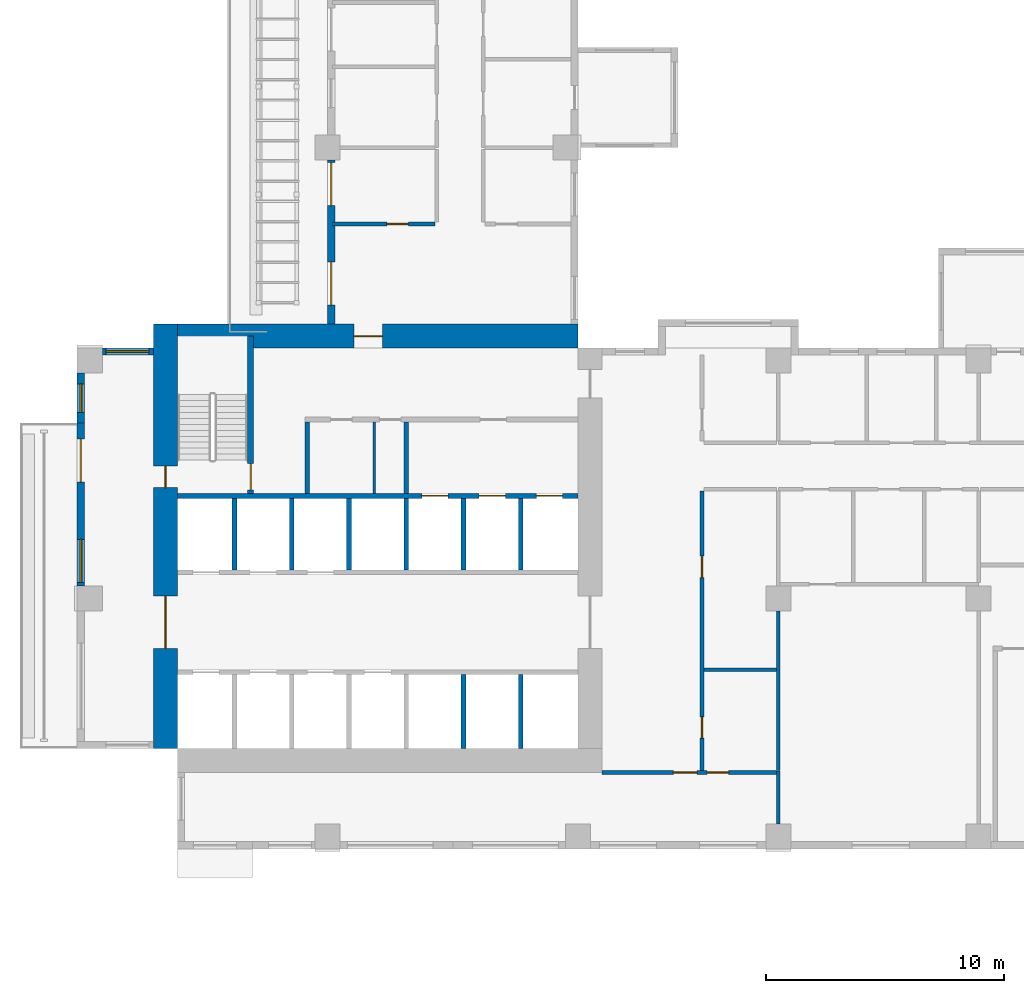
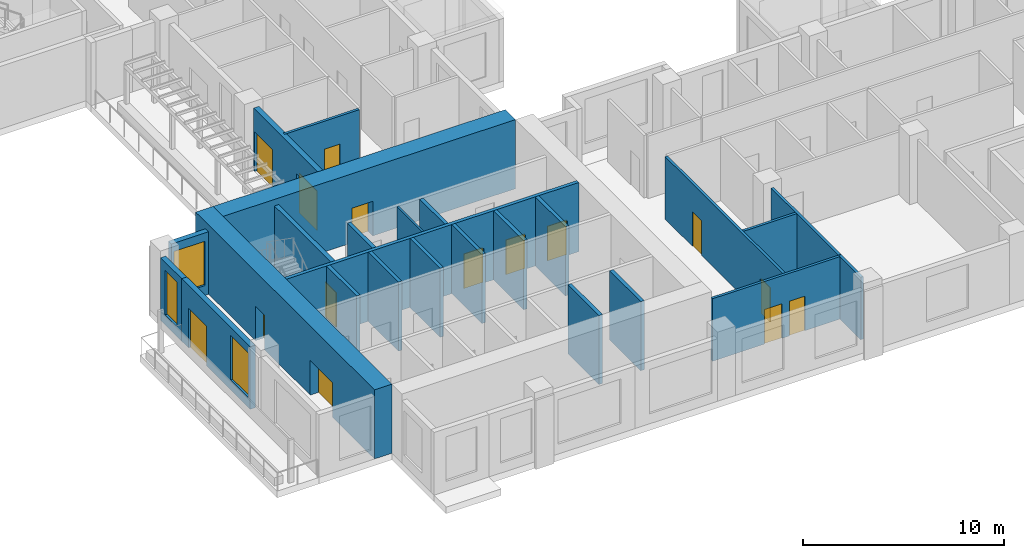
# One storey, part 4 of 16: 25 walls, 15 doors, 3 windows, 18 openings.
"""IFC4 building model written with IfcOpenShell, lengths in metres."""

from ifc_helpers import new_model, si_unit, direction, frame, frame_2d, origin, place, context, subcontext, project, spatial, rectangle, extrude, source, transform, mapped, material, layer, layer_set, type_object, element, fill, save


model = new_model("IFC4")

# Units and contexts
model_context = context("Model", 3, precision=1e-05, world=origin(), true_north=direction((0.0, 1.0)))
body_context = subcontext(model_context, "Body", "Model", "MODEL_VIEW")
ifc_project = project(units=[si_unit("LENGTHUNIT", "METRE"), si_unit("AREAUNIT", "SQUARE_METRE"), si_unit("VOLUMEUNIT", "CUBIC_METRE"), si_unit("PLANEANGLEUNIT", "RADIAN"), si_unit("MASSUNIT", "GRAM", prefix="KILO")], contexts=[model_context])

# Site, building, storey
site_placement = place(None, origin())
site = spatial("IfcSite", under=ifc_project, at=site_placement, CompositionType="ELEMENT")
building_placement = place(site_placement, origin())
building = spatial("IfcBuilding", under=site, at=building_placement, Name="Aurelian Terraces", CompositionType="ELEMENT")
storey_placement = place(building_placement, frame((0.0, 0.0, 124.5)))
storey = spatial("IfcBuildingStorey", under=building, at=storey_placement, Name="L27", CompositionType="ELEMENT", Elevation=124.5)

# Wall, openings, doors
ifc_material_1 = material(Name="Concrete fc' 83 MPa", Category="concrete")
ifc_layer_1 = layer(ifc_material_1, 1.0)
ifc_layer_set_1 = layer_set([ifc_layer_1], Name="CORE WALL 1000 FC83")
wall_type_1 = type_object("IfcWallType", Name="CORE WALL 1000 FC83", PredefinedType="SHEAR", material=ifc_layer_set_1)
shared_shape_1 = source(origin(), body_context, "Body", "SweptSolid", [
    extrude(rectangle(XDim=17.8, YDim=1.0, at=frame_2d((8.9, 0.0))), origin(), (0.0, 0.0, 1.0), 4.2),
])
wall_1_placement = place(storey_placement, frame((3.7, 4.2, 0.0), z_axis=(0.0, 0.0, 1.0), x_axis=(0.0, 1.0, 0.0)))
wall_1 = element("IfcWall", 1, at=wall_1_placement, inside=storey, type_object=wall_type_1, Name="Core wall W L27", PredefinedType="SHEAR", context=body_context, shape_type="MappedRepresentation", body=[
    mapped(shared_shape_1, transform((0.0, 0.0, 0.0), scale=1.0)),
])
shared_shape_2 = source(origin(), body_context, "Body", "SweptSolid", [
    extrude(rectangle(XDim=2.2, YDim=2.1, at=frame_2d((1.1, 1.05))), frame((0.0, 0.51, 0.0), z_axis=(0.0, -1.0, 0.0), x_axis=(1.0, 0.0, 0.0)), (0.0, 0.0, 1.0), 1.02),
])
opening_1_placement = place(wall_1_placement, frame((4.2, 0.0, 0.0)))
opening_1 = element("IfcOpeningElement", 2, at=opening_1_placement, cuts=wall_1, Name="Opening 63021", PredefinedType="OPENING", context=body_context, shape_type="MappedRepresentation", body=[
    mapped(shared_shape_2, transform((0.0, 0.0, 0.0), scale=1.0)),
])
shared_shape_3 = source(origin(), body_context, "Body", "SweptSolid", [
    extrude(rectangle(XDim=0.9, YDim=2.1, at=frame_2d((0.45, 1.05))), frame((0.0, 0.51, 0.0), z_axis=(0.0, -1.0, 0.0), x_axis=(1.0, 0.0, 0.0)), (0.0, 0.0, 1.0), 1.02),
])
opening_2_placement = place(wall_1_placement, frame((10.95, 0.0, 0.0)))
opening_2 = element("IfcOpeningElement", 3, at=opening_2_placement, cuts=wall_1, Name="Opening 63024", PredefinedType="OPENING", context=body_context, shape_type="MappedRepresentation", body=[
    mapped(shared_shape_3, transform((0.0, 0.0, 0.0), scale=1.0)),
])
ifc_material_2 = material(Name="Steel door leaf", Category="steel")
door_type_1 = type_object("IfcDoorType", Name="Core service door 900x2100", OperationType="SINGLE_SWING_LEFT", PredefinedType="DOOR", material=ifc_material_2)
shared_shape_4 = source(origin(), body_context, "Body", "SweptSolid", [
    extrude(rectangle(XDim=0.9, YDim=2.1, at=frame_2d((0.45, 1.05))), frame((0.0, 0.025, 0.0), z_axis=(0.0, -1.0, 0.0), x_axis=(1.0, 0.0, 0.0)), (0.0, 0.0, 1.0), 0.05),
])
door_1_placement = place(opening_2_placement, origin())
door_1 = element("IfcDoor", 4, at=door_1_placement, inside=storey, type_object=door_type_1, Name="Core door 63024", OperationType="SINGLE_SWING_LEFT", OverallHeight=2.1, OverallWidth=0.9, PredefinedType="DOOR", context=body_context, shape_type="MappedRepresentation", body=[
    mapped(shared_shape_4, transform((0.0, 0.0, 0.0), scale=1.0)),
])
fill(opening_2, door_1)
door_type_2 = type_object("IfcDoorType", Name="Core double door 2200x2100", OperationType="DOUBLE_DOOR_SINGLE_SWING", PredefinedType="DOOR", material=ifc_material_2)
shared_shape_5 = source(origin(), body_context, "Body", "SweptSolid", [
    extrude(rectangle(XDim=2.2, YDim=2.1, at=frame_2d((1.1, 1.05))), frame((0.0, 0.025, 0.0), z_axis=(0.0, -1.0, 0.0), x_axis=(1.0, 0.0, 0.0)), (0.0, 0.0, 1.0), 0.05),
])
door_2_placement = place(opening_1_placement, origin())
door_2 = element("IfcDoor", 5, at=door_2_placement, inside=storey, type_object=door_type_2, Name="Core door 63021", OperationType="DOUBLE_DOOR_SINGLE_SWING", OverallHeight=2.1, OverallWidth=2.2, PredefinedType="DOOR", context=body_context, shape_type="MappedRepresentation", body=[
    mapped(shared_shape_5, transform((0.0, 0.0, 0.0), scale=1.0)),
])
fill(opening_1, door_2)

# Wall, opening, door
shared_shape_6 = source(origin(), body_context, "Body", "SweptSolid", [
    extrude(rectangle(XDim=16.8, YDim=1.0, at=frame_2d((8.4, 0.0))), origin(), (0.0, 0.0, 1.0), 4.2),
])
wall_2_placement = place(storey_placement, frame((4.2, 21.5, 0.0), z_axis=(0.0, 0.0, 1.0), x_axis=(1.0, 0.0, 0.0)))
wall_2 = element("IfcWall", 6, at=wall_2_placement, inside=storey, type_object=wall_type_1, Name="Core wall N L27", PredefinedType="SHEAR", context=body_context, shape_type="MappedRepresentation", body=[
    mapped(shared_shape_6, transform((0.0, 0.0, 0.0), scale=1.0)),
])
shared_shape_7 = source(origin(), body_context, "Body", "SweptSolid", [
    extrude(rectangle(XDim=1.2, YDim=2.1, at=frame_2d((0.6, 1.05))), frame((0.0, 0.51, 0.0), z_axis=(0.0, -1.0, 0.0), x_axis=(1.0, 0.0, 0.0)), (0.0, 0.0, 1.0), 1.02),
])
opening_3_placement = place(wall_2_placement, frame((7.4, 0.0, 0.0)))
opening_3 = element("IfcOpeningElement", 7, at=opening_3_placement, cuts=wall_2, Name="Opening 63022", PredefinedType="OPENING", context=body_context, shape_type="MappedRepresentation", body=[
    mapped(shared_shape_7, transform((0.0, 0.0, 0.0), scale=1.0)),
])
door_type_3 = type_object("IfcDoorType", Name="Core fire door 1200x2100", OperationType="SINGLE_SWING_LEFT", PredefinedType="DOOR", material=ifc_material_2)
shared_shape_8 = source(origin(), body_context, "Body", "SweptSolid", [
    extrude(rectangle(XDim=1.2, YDim=2.1, at=frame_2d((0.6, 1.05))), frame((0.0, 0.025, 0.0), z_axis=(0.0, -1.0, 0.0), x_axis=(1.0, 0.0, 0.0)), (0.0, 0.0, 1.0), 0.05),
])
door_3_placement = place(opening_3_placement, origin())
door_3 = element("IfcDoor", 8, at=door_3_placement, inside=storey, type_object=door_type_3, Name="Core door 63022", OperationType="SINGLE_SWING_LEFT", OverallHeight=2.1, OverallWidth=1.2, PredefinedType="DOOR", context=body_context, shape_type="MappedRepresentation", body=[
    mapped(shared_shape_8, transform((0.0, 0.0, 0.0), scale=1.0)),
])
fill(opening_3, door_3)

# Wall, openings, doors
ifc_material_3 = material(Name="Terracotta rainscreen cladding", Category="masonry")
ifc_layer_2 = layer(ifc_material_3, 0.3)
ifc_layer_set_2 = layer_set([ifc_layer_2], Name="EW-300")
wall_type_2 = type_object("IfcWallType", Name="EW-300", PredefinedType="STANDARD", material=ifc_layer_set_2)
shared_shape_9 = source(origin(), body_context, "Body", "SweptSolid", [
    extrude(rectangle(XDim=6.875, YDim=0.3, at=frame_2d((3.4375, 0.0))), origin(), (0.0, 0.0, 1.0), 3.8),
])
wall_3_placement = place(storey_placement, frame((10.65, 28.875, 0.0), z_axis=(0.0, 0.0, 1.0), x_axis=(0.0, -1.0, 0.0)))
wall_3 = element("IfcWall", 9, at=wall_3_placement, inside=storey, type_object=wall_type_2, Name="External wall L27 F18.39", PredefinedType="STANDARD", context=body_context, shape_type="MappedRepresentation", body=[
    mapped(shared_shape_9, transform((0.0, 0.0, 0.0), scale=1.0)),
])
shared_shape_10 = source(origin(), body_context, "Body", "SweptSolid", [
    extrude(rectangle(XDim=1.8, YDim=2.4, at=frame_2d((0.9, 1.2))), frame((0.0, 0.16, 0.0), z_axis=(0.0, -1.0, 0.0), x_axis=(1.0, 0.0, 0.0)), (0.0, 0.0, 1.0), 0.32),
])
opening_4_placement = place(wall_3_placement, frame((0.1, 0.0, 0.0)))
opening_4 = element("IfcOpeningElement", 10, at=opening_4_placement, cuts=wall_3, Name="Opening 82704", PredefinedType="OPENING", context=body_context, shape_type="MappedRepresentation", body=[
    mapped(shared_shape_10, transform((0.0, 0.0, 0.0), scale=1.0)),
])
opening_5_placement = place(wall_3_placement, frame((4.275, 0.0, 0.0)))
opening_5 = element("IfcOpeningElement", 11, at=opening_5_placement, cuts=wall_3, Name="Opening 82705", PredefinedType="OPENING", context=body_context, shape_type="MappedRepresentation", body=[
    mapped(shared_shape_10, transform((0.0, 0.0, 0.0), scale=1.0)),
])
ifc_material_4 = material(Name="Clear glazing", Category="glass")
door_type_4 = type_object("IfcDoorType", Name="BD-1800x2400", OperationType="SLIDING_TO_LEFT", PredefinedType="DOOR", material=ifc_material_4)
shared_shape_11 = source(origin(), body_context, "Body", "SweptSolid", [
    extrude(rectangle(XDim=1.8, YDim=2.4, at=frame_2d((0.9, 1.2))), frame((0.0, 0.025, 0.0), z_axis=(0.0, -1.0, 0.0), x_axis=(1.0, 0.0, 0.0)), (0.0, 0.0, 1.0), 0.05),
])
door_4_placement = place(opening_4_placement, origin())
door_4 = element("IfcDoor", 12, at=door_4_placement, inside=storey, type_object=door_type_4, Name="Terrace door L27 L27-F18-39.3", OperationType="SLIDING_TO_LEFT", OverallHeight=2.4, OverallWidth=1.8, PredefinedType="DOOR", context=body_context, shape_type="MappedRepresentation", body=[
    mapped(shared_shape_11, transform((0.0, 0.0, 0.0), scale=1.0)),
])
fill(opening_4, door_4)
door_5_placement = place(opening_5_placement, origin())
door_5 = element("IfcDoor", 13, at=door_5_placement, inside=storey, type_object=door_type_4, Name="Terrace door L27 L27-F18-39.4", OperationType="SLIDING_TO_LEFT", OverallHeight=2.4, OverallWidth=1.8, PredefinedType="DOOR", context=body_context, shape_type="MappedRepresentation", body=[
    mapped(shared_shape_11, transform((0.0, 0.0, 0.0), scale=1.0)),
])
fill(opening_5, door_5)

# Wall, opening, window
shared_shape_12 = source(origin(), body_context, "Body", "SweptSolid", [
    extrude(rectangle(XDim=2.15, YDim=0.3, at=frame_2d((1.075, 0.0))), origin(), (0.0, 0.0, 1.0), 3.8),
])
wall_4_placement = place(storey_placement, frame((3.2, 20.85, 0.0), z_axis=(0.0, 0.0, 1.0), x_axis=(-1.0, 0.0, 0.0)))
wall_4 = element("IfcWall", 14, at=wall_4_placement, inside=storey, type_object=wall_type_2, Name="External wall L27 F21.42", PredefinedType="STANDARD", context=body_context, shape_type="MappedRepresentation", body=[
    mapped(shared_shape_12, transform((0.0, 0.0, 0.0), scale=1.0)),
])
shared_shape_13 = source(origin(), body_context, "Body", "SweptSolid", [
    extrude(rectangle(XDim=1.8, YDim=2.7, at=frame_2d((0.9, 1.35))), frame((0.0, 0.16, 0.0), z_axis=(0.0, -1.0, 0.0), x_axis=(1.0, 0.0, 0.0)), (0.0, 0.0, 1.0), 0.32),
])
opening_6_placement = place(wall_4_placement, frame((0.2, 0.0, 0.6)))
opening_6 = element("IfcOpeningElement", 15, at=opening_6_placement, cuts=wall_4, Name="Opening W1827", PredefinedType="OPENING", context=body_context, shape_type="MappedRepresentation", body=[
    mapped(shared_shape_13, transform((0.0, 0.0, 0.0), scale=1.0)),
])
window_type_1 = type_object("IfcWindowType", Name="W-1800x2700", PartitioningType="SINGLE_PANEL", PredefinedType="WINDOW", material=ifc_material_4)
shared_shape_14 = source(origin(), body_context, "Body", "SweptSolid", [
    extrude(rectangle(XDim=1.8, YDim=2.7, at=frame_2d((0.9, 1.35))), frame((0.0, 0.03, 0.0), z_axis=(0.0, -1.0, 0.0), x_axis=(1.0, 0.0, 0.0)), (0.0, 0.0, 1.0), 0.06),
])
window_1_placement = place(opening_6_placement, origin())
window_1 = element("IfcWindow", 16, at=window_1_placement, inside=storey, type_object=window_type_1, Name="Window L27 L27-F21-42-0", OverallHeight=2.7, OverallWidth=1.8, PartitioningType="SINGLE_PANEL", PredefinedType="WINDOW", context=body_context, shape_type="MappedRepresentation", body=[
    mapped(shared_shape_14, transform((0.0, 0.0, 0.0), scale=1.0)),
])
fill(opening_6, window_1)

shared_shape_15 = source(origin(), body_context, "Body", "SweptSolid", [
    extrude(rectangle(XDim=2.1, YDim=0.3, at=frame_2d((1.05, 0.0))), origin(), (0.0, 0.0, 1.0), 3.8),
])
wall_5_placement = place(storey_placement, frame((0.15, 19.95, 0.0), z_axis=(0.0, 0.0, 1.0), x_axis=(0.0, -1.0, 0.0)))
wall_5 = element("IfcWall", 17, at=wall_5_placement, inside=storey, type_object=wall_type_2, Name="External wall L27 F22.43", PredefinedType="STANDARD", context=body_context, shape_type="MappedRepresentation", body=[
    mapped(shared_shape_15, transform((0.0, 0.0, 0.0), scale=1.0)),
])
shared_shape_16 = source(origin(), body_context, "Body", "SweptSolid", [
    extrude(rectangle(XDim=1.2, YDim=2.7, at=frame_2d((0.6, 1.35))), frame((0.0, 0.16, 0.0), z_axis=(0.0, -1.0, 0.0), x_axis=(1.0, 0.0, 0.0)), (0.0, 0.0, 1.0), 0.32),
])
opening_7_placement = place(wall_5_placement, frame((0.45, 0.0, 0.6)))
opening_7 = element("IfcOpeningElement", 18, at=opening_7_placement, cuts=wall_5, Name="Opening W1227", PredefinedType="OPENING", context=body_context, shape_type="MappedRepresentation", body=[
    mapped(shared_shape_16, transform((0.0, 0.0, 0.0), scale=1.0)),
])
window_type_2 = type_object("IfcWindowType", Name="W-1200x2700", PartitioningType="SINGLE_PANEL", PredefinedType="WINDOW", material=ifc_material_4)
shared_shape_17 = source(origin(), body_context, "Body", "SweptSolid", [
    extrude(rectangle(XDim=1.2, YDim=2.7, at=frame_2d((0.6, 1.35))), frame((0.0, 0.03, 0.0), z_axis=(0.0, -1.0, 0.0), x_axis=(1.0, 0.0, 0.0)), (0.0, 0.0, 1.0), 0.06),
])
window_2_placement = place(opening_7_placement, origin())
window_2 = element("IfcWindow", 19, at=window_2_placement, inside=storey, type_object=window_type_2, Name="Window L27 L27-F22-43-P0", OverallHeight=2.7, OverallWidth=1.2, PartitioningType="SINGLE_PANEL", PredefinedType="WINDOW", context=body_context, shape_type="MappedRepresentation", body=[
    mapped(shared_shape_17, transform((0.0, 0.0, 0.0), scale=1.0)),
])
fill(opening_7, window_2)

# Wall, openings, door, window
shared_shape_18 = source(origin(), body_context, "Body", "SweptSolid", [
    extrude(rectangle(XDim=6.825, YDim=0.3, at=frame_2d((3.4125, 0.0))), origin(), (0.0, 0.0, 1.0), 3.8),
])
wall_6_placement = place(storey_placement, frame((0.15, 17.85, 0.0), z_axis=(0.0, 0.0, 1.0), x_axis=(0.0, -1.0, 0.0)))
wall_6 = element("IfcWall", 20, at=wall_6_placement, inside=storey, type_object=wall_type_2, Name="External wall L27 F22.44", PredefinedType="STANDARD", context=body_context, shape_type="MappedRepresentation", body=[
    mapped(shared_shape_18, transform((0.0, 0.0, 0.0), scale=1.0)),
])
opening_8_placement = place(wall_6_placement, frame((0.675, 0.0, 0.0)))
opening_8 = element("IfcOpeningElement", 21, at=opening_8_placement, cuts=wall_6, Name="Opening 82706", PredefinedType="OPENING", context=body_context, shape_type="MappedRepresentation", body=[
    mapped(shared_shape_10, transform((0.0, 0.0, 0.0), scale=1.0)),
])
opening_9_placement = place(wall_6_placement, frame((4.875, 0.0, 0.6)))
opening_9 = element("IfcOpeningElement", 22, at=opening_9_placement, cuts=wall_6, Name="Opening W1827", PredefinedType="OPENING", context=body_context, shape_type="MappedRepresentation", body=[
    mapped(shared_shape_13, transform((0.0, 0.0, 0.0), scale=1.0)),
])
door_6_placement = place(opening_8_placement, origin())
door_6 = element("IfcDoor", 23, at=door_6_placement, inside=storey, type_object=door_type_4, Name="Balcony door L27 F22.44", OperationType="SLIDING_TO_LEFT", OverallHeight=2.4, OverallWidth=1.8, PredefinedType="DOOR", context=body_context, shape_type="MappedRepresentation", body=[
    mapped(shared_shape_11, transform((0.0, 0.0, 0.0), scale=1.0)),
])
fill(opening_8, door_6)
window_3_placement = place(opening_9_placement, origin())
window_3 = element("IfcWindow", 24, at=window_3_placement, inside=storey, type_object=window_type_1, Name="Window L27 L27-F22-44-1", OverallHeight=2.7, OverallWidth=1.8, PartitioningType="SINGLE_PANEL", PredefinedType="WINDOW", context=body_context, shape_type="MappedRepresentation", body=[
    mapped(shared_shape_14, transform((0.0, 0.0, 0.0), scale=1.0)),
])
fill(opening_9, window_3)

# Walls
ifc_material_5 = material(Name="Concrete fc' 40 MPa", Category="concrete")
ifc_layer_3 = layer(ifc_material_5, 0.2)
ifc_layer_set_3 = layer_set([ifc_layer_3], Name="Lift shaft wall 200")
wall_type_3 = type_object("IfcWallType", Name="Lift shaft wall 200", PredefinedType="SOLIDWALL", material=ifc_layer_set_3)
shared_shape_19 = source(origin(), body_context, "Body", "SweptSolid", [
    extrude(rectangle(XDim=3.1, YDim=0.2, at=frame_2d((1.55, 0.0))), origin(), (0.0, 0.0, 1.0), 4.2),
])
for number, where, z_axis, x_axis, name in (
    (25, (16.2, 4.2, 0.0), (0.0, 0.0, 1.0), (0.0, 1.0, 0.0), "L27 core wall CD-A5"),
    (26, (18.6, 4.2, 0.0), (0.0, 0.0, 1.0), (0.0, 1.0, 0.0), "L27 core wall CD-A6"),
):
    element("IfcWall", number, at=place(storey_placement, frame(where, z_axis=z_axis, x_axis=x_axis)), inside=storey, type_object=wall_type_3, Name=name, PredefinedType="SOLIDWALL", context=body_context, shape_type="MappedRepresentation", body=[
        mapped(shared_shape_19, transform((0.0, 0.0, 0.0), scale=1.0)),
    ])
shared_shape_20 = source(origin(), body_context, "Body", "SweptSolid", [
    extrude(rectangle(XDim=3.0, YDim=0.2, at=frame_2d((1.5, 0.0))), origin(), (0.0, 0.0, 1.0), 4.2),
])
for number, where, z_axis, x_axis, name in (
    (27, (6.6, 11.7, 0.0), (0.0, 0.0, 1.0), (0.0, 1.0, 0.0), "L27 core wall CD-B1"),
    (28, (9.0, 11.7, 0.0), (0.0, 0.0, 1.0), (0.0, 1.0, 0.0), "L27 core wall CD-B2"),
    (29, (11.4, 11.7, 0.0), (0.0, 0.0, 1.0), (0.0, 1.0, 0.0), "L27 core wall CD-B3"),
    (30, (13.8, 11.7, 0.0), (0.0, 0.0, 1.0), (0.0, 1.0, 0.0), "L27 core wall CD-B4"),
    (31, (16.2, 11.7, 0.0), (0.0, 0.0, 1.0), (0.0, 1.0, 0.0), "L27 core wall CD-B5"),
    (32, (18.6, 11.7, 0.0), (0.0, 0.0, 1.0), (0.0, 1.0, 0.0), "L27 core wall CD-B6"),
):
    element("IfcWall", number, at=place(storey_placement, frame(where, z_axis=z_axis, x_axis=x_axis)), inside=storey, type_object=wall_type_3, Name=name, PredefinedType="SOLIDWALL", context=body_context, shape_type="MappedRepresentation", body=[
        mapped(shared_shape_20, transform((0.0, 0.0, 0.0), scale=1.0)),
    ])

# Wall, openings, doors
shared_shape_21 = source(origin(), body_context, "Body", "SweptSolid", [
    extrude(rectangle(XDim=16.8, YDim=0.2, at=frame_2d((8.4, 0.0))), origin(), (0.0, 0.0, 1.0), 4.2),
])
wall_7_placement = place(storey_placement, frame((4.2, 14.8, 0.0), z_axis=(0.0, 0.0, 1.0), x_axis=(1.0, 0.0, 0.0)))
wall_7 = element("IfcWall", 33, at=wall_7_placement, inside=storey, type_object=wall_type_3, Name="L27 core wall CF-BB1", PredefinedType="SOLIDWALL", context=body_context, shape_type="MappedRepresentation", body=[
    mapped(shared_shape_21, transform((0.0, 0.0, 0.0), scale=1.0)),
])
shared_shape_22 = source(origin(), body_context, "Body", "SweptSolid", [
    extrude(rectangle(XDim=1.1, YDim=2.1, at=frame_2d((0.55, 1.05))), frame((0.0, 0.11, 0.0), z_axis=(0.0, -1.0, 0.0), x_axis=(1.0, 0.0, 0.0)), (0.0, 0.0, 1.0), 0.22),
])
opening_10_placement = place(wall_7_placement, frame((10.25, 0.0, 0.0)))
opening_10 = element("IfcOpeningElement", 34, at=opening_10_placement, cuts=wall_7, Name="Opening 63007", PredefinedType="OPENING", context=body_context, shape_type="MappedRepresentation", body=[
    mapped(shared_shape_22, transform((0.0, 0.0, 0.0), scale=1.0)),
])
opening_11_placement = place(wall_7_placement, frame((12.65, 0.0, 0.0)))
opening_11 = element("IfcOpeningElement", 35, at=opening_11_placement, cuts=wall_7, Name="Opening 63008", PredefinedType="OPENING", context=body_context, shape_type="MappedRepresentation", body=[
    mapped(shared_shape_22, transform((0.0, 0.0, 0.0), scale=1.0)),
])
opening_12_placement = place(wall_7_placement, frame((15.05, 0.0, 0.0)))
opening_12 = element("IfcOpeningElement", 36, at=opening_12_placement, cuts=wall_7, Name="Opening 63009", PredefinedType="OPENING", context=body_context, shape_type="MappedRepresentation", body=[
    mapped(shared_shape_22, transform((0.0, 0.0, 0.0), scale=1.0)),
])
ifc_material_6 = material(Name="Stainless steel", Category="steel")
door_type_5 = type_object("IfcDoorType", Name="Lift landing door 1100x2100", OperationType="SLIDING_TO_LEFT", PredefinedType="DOOR", material=ifc_material_6)
shared_shape_23 = source(origin(), body_context, "Body", "SweptSolid", [
    extrude(rectangle(XDim=1.1, YDim=2.1, at=frame_2d((0.55, 1.05))), frame((0.0, 0.025, 0.0), z_axis=(0.0, -1.0, 0.0), x_axis=(1.0, 0.0, 0.0)), (0.0, 0.0, 1.0), 0.05),
])
door_7_placement = place(opening_10_placement, origin())
door_7 = element("IfcDoor", 37, at=door_7_placement, inside=storey, type_object=door_type_5, Name="Lift landing door F1 L27", OperationType="SLIDING_TO_LEFT", OverallHeight=2.1, OverallWidth=1.1, PredefinedType="DOOR", context=body_context, shape_type="MappedRepresentation", body=[
    mapped(shared_shape_23, transform((0.0, 0.0, 0.0), scale=1.0)),
])
fill(opening_10, door_7)
door_8_placement = place(opening_11_placement, origin())
door_8 = element("IfcDoor", 38, at=door_8_placement, inside=storey, type_object=door_type_5, Name="Lift landing door F2 L27", OperationType="SLIDING_TO_LEFT", OverallHeight=2.1, OverallWidth=1.1, PredefinedType="DOOR", context=body_context, shape_type="MappedRepresentation", body=[
    mapped(shared_shape_23, transform((0.0, 0.0, 0.0), scale=1.0)),
])
fill(opening_11, door_8)
door_9_placement = place(opening_12_placement, origin())
door_9 = element("IfcDoor", 39, at=door_9_placement, inside=storey, type_object=door_type_5, Name="Lift landing door F3 L27", OperationType="SLIDING_TO_LEFT", OverallHeight=2.1, OverallWidth=1.1, PredefinedType="DOOR", context=body_context, shape_type="MappedRepresentation", body=[
    mapped(shared_shape_23, transform((0.0, 0.0, 0.0), scale=1.0)),
])
fill(opening_12, door_9)

# Walls
ifc_material_7 = material(Name="Gypsum board on steel studs", Category="steel")
ifc_layer_4 = layer(ifc_material_7, 0.2)
ifc_layer_set_4 = layer_set([ifc_layer_4], Name="Core partition 200")
wall_type_4 = type_object("IfcWallType", Name="Core partition 200", PredefinedType="PARTITIONING", material=ifc_layer_set_4)
shared_shape_24 = source(origin(), body_context, "Body", "SweptSolid", [
    extrude(rectangle(XDim=3.0, YDim=0.2, at=frame_2d((1.5, 0.0))), origin(), (0.0, 0.0, 1.0), 3.8),
])
for number, where, z_axis, x_axis, name in (
    (40, (9.65, 14.9, 0.0), (0.0, 0.0, 1.0), (0.0, 1.0, 0.0), "L27 core wall CP-VEST"),
    (41, (13.8, 14.9, 0.0), (0.0, 0.0, 1.0), (0.0, 1.0, 0.0), "L27 core wall CP-FFL"),
):
    element("IfcWall", number, at=place(storey_placement, frame(where, z_axis=z_axis, x_axis=x_axis)), inside=storey, type_object=wall_type_4, Name=name, PredefinedType="PARTITIONING", context=body_context, shape_type="MappedRepresentation", body=[
        mapped(shared_shape_24, transform((0.0, 0.0, 0.0), scale=1.0)),
    ])
ifc_layer_5 = layer(ifc_material_7, 0.1)
ifc_layer_set_5 = layer_set([ifc_layer_5], Name="Core partition 100")
wall_type_5 = type_object("IfcWallType", Name="Core partition 100", PredefinedType="PARTITIONING", material=ifc_layer_set_5)
shared_shape_25 = source(origin(), body_context, "Body", "SweptSolid", [
    extrude(rectangle(XDim=3.0, YDim=0.1, at=frame_2d((1.5, 0.0))), origin(), (0.0, 0.0, 1.0), 3.8),
])
wall_8_placement = place(storey_placement, frame((12.45, 14.9, 0.0), z_axis=(0.0, 0.0, 1.0), x_axis=(0.0, 1.0, 0.0)))
element("IfcWall", 42, at=wall_8_placement, inside=storey, type_object=wall_type_5, Name="L27 core wall CP-SV1", PredefinedType="PARTITIONING", context=body_context, shape_type="MappedRepresentation", body=[
    mapped(shared_shape_25, transform((0.0, 0.0, 0.0), scale=1.0)),
])

# Wall, opening, door
ifc_layer_6 = layer(ifc_material_5, 0.25)
ifc_layer_set_6 = layer_set([ifc_layer_6], Name="Stair enclosure wall 250")
wall_type_6 = type_object("IfcWallType", Name="Stair enclosure wall 250", PredefinedType="SOLIDWALL", material=ifc_layer_set_6)
shared_shape_26 = source(origin(), body_context, "Body", "SweptSolid", [
    extrude(rectangle(XDim=6.6, YDim=0.25, at=frame_2d((3.3, 0.0))), origin(), (0.0, 0.0, 1.0), 3.8),
])
wall_9_placement = place(storey_placement, frame((7.275, 14.9, 0.0), z_axis=(0.0, 0.0, 1.0), x_axis=(0.0, 1.0, 0.0)))
wall_9 = element("IfcWall", 43, at=wall_9_placement, inside=storey, type_object=wall_type_6, Name="L27 core wall ST-S1-E", PredefinedType="SOLIDWALL", context=body_context, shape_type="MappedRepresentation", body=[
    mapped(shared_shape_26, transform((0.0, 0.0, 0.0), scale=1.0)),
])
shared_shape_27 = source(origin(), body_context, "Body", "SweptSolid", [
    extrude(rectangle(XDim=1.1, YDim=2.1, at=frame_2d((0.55, 1.05))), frame((0.0, 0.135, 0.0), z_axis=(0.0, -1.0, 0.0), x_axis=(1.0, 0.0, 0.0)), (0.0, 0.0, 1.0), 0.27),
])
opening_13_placement = place(wall_9_placement, frame((0.15, 0.0, 0.0)))
opening_13 = element("IfcOpeningElement", 44, at=opening_13_placement, cuts=wall_9, Name="Opening 63010", PredefinedType="OPENING", context=body_context, shape_type="MappedRepresentation", body=[
    mapped(shared_shape_27, transform((0.0, 0.0, 0.0), scale=1.0)),
])
door_type_6 = type_object("IfcDoorType", Name="Core fire door 1100x2100", OperationType="SINGLE_SWING_LEFT", PredefinedType="DOOR", material=ifc_material_2)
door_10_placement = place(opening_13_placement, origin())
door_10 = element("IfcDoor", 45, at=door_10_placement, inside=storey, type_object=door_type_6, Name="Stair door 63010", OperationType="SINGLE_SWING_LEFT", OverallHeight=2.1, OverallWidth=1.1, PredefinedType="DOOR", context=body_context, shape_type="MappedRepresentation", body=[
    mapped(shared_shape_23, transform((0.0, 0.0, 0.0), scale=1.0)),
])
fill(opening_13, door_10)

ifc_layer_7 = layer(ifc_material_7, 0.15)
ifc_layer_set_7 = layer_set([ifc_layer_7], Name="Partition 150")
wall_type_7 = type_object("IfcWallType", Name="Partition 150", PredefinedType="PARTITIONING", material=ifc_layer_set_7)
shared_shape_28 = source(origin(), body_context, "Body", "SweptSolid", [
    extrude(rectangle(XDim=4.295, YDim=0.15, at=frame_2d((2.1475, 0.0))), origin(), (0.0, 0.0, 1.0), 3.8),
])
wall_10_placement = place(storey_placement, frame((10.705, 26.2, 0.0), z_axis=(0.0, 0.0, 1.0), x_axis=(1.0, 0.0, 0.0)))
wall_10 = element("IfcWall", 46, at=wall_10_placement, inside=storey, type_object=wall_type_7, Name="Partition", PredefinedType="PARTITIONING", context=body_context, shape_type="MappedRepresentation", body=[
    mapped(shared_shape_28, transform((0.0, 0.0, 0.0), scale=1.0)),
])
shared_shape_29 = source(origin(), body_context, "Body", "SweptSolid", [
    extrude(rectangle(XDim=0.9, YDim=2.1, at=frame_2d((0.45, 1.05))), frame((0.0, 0.085, 0.0), z_axis=(0.0, -1.0, 0.0), x_axis=(1.0, 0.0, 0.0)), (0.0, 0.0, 1.0), 0.17),
])
opening_14_placement = place(wall_10_placement, frame((2.2825, 0.0, 0.0)))
opening_14 = element("IfcOpeningElement", 47, at=opening_14_placement, cuts=wall_10, Name="Opening 727027", PredefinedType="OPENING", context=body_context, shape_type="MappedRepresentation", body=[
    mapped(shared_shape_29, transform((0.0, 0.0, 0.0), scale=1.0)),
])
ifc_material_8 = material(Name="Timber door leaf", Category="wood")
door_type_7 = type_object("IfcDoorType", Name="Room door 900x2100 right", OperationType="SINGLE_SWING_RIGHT", PredefinedType="DOOR", material=ifc_material_8)
door_11_placement = place(opening_14_placement, origin())
door_11 = element("IfcDoor", 48, at=door_11_placement, inside=storey, type_object=door_type_7, Name="Door 727027", OperationType="SINGLE_SWING_RIGHT", OverallHeight=2.1, OverallWidth=0.9, PredefinedType="DOOR", context=body_context, shape_type="MappedRepresentation", body=[
    mapped(shared_shape_4, transform((0.0, 0.0, 0.0), scale=1.0)),
])
fill(opening_14, door_11)

# Walls
shared_shape_30 = source(origin(), body_context, "Body", "SweptSolid", [
    extrude(rectangle(XDim=6.701, YDim=0.15, at=frame_2d((3.3505, 0.0))), origin(), (0.0, 0.0, 1.0), 3.8),
])
wall_11_placement = place(storey_placement, frame((29.4, 3.275, 0.0), z_axis=(0.0, 0.0, 1.0), x_axis=(0.0, 1.0, 0.0)))
element("IfcWall", 49, at=wall_11_placement, inside=storey, type_object=wall_type_7, Name="Partition", PredefinedType="PARTITIONING", context=body_context, shape_type="MappedRepresentation", body=[
    mapped(shared_shape_30, transform((0.0, 0.0, 0.0), scale=1.0)),
])
shared_shape_31 = source(origin(), body_context, "Body", "SweptSolid", [
    extrude(rectangle(XDim=2.206, YDim=0.15, at=frame_2d((1.103, 0.0))), origin(), (0.0, 0.0, 1.0), 3.8),
])
wall_12_placement = place(storey_placement, frame((29.4, 1.049, 0.0), z_axis=(0.0, 0.0, 1.0), x_axis=(0.0, 1.0, 0.0)))
element("IfcWall", 50, at=wall_12_placement, inside=storey, type_object=wall_type_7, Name="Partition", PredefinedType="PARTITIONING", context=body_context, shape_type="MappedRepresentation", body=[
    mapped(shared_shape_31, transform((0.0, 0.0, 0.0), scale=1.0)),
])
shared_shape_32 = source(origin(), body_context, "Body", "SweptSolid", [
    extrude(rectangle(XDim=3.05, YDim=0.15, at=frame_2d((1.525, 0.0))), origin(), (0.0, 0.0, 1.0), 3.8),
])
wall_13_placement = place(storey_placement, frame((29.325, 7.5, 0.0), z_axis=(0.0, 0.0, 1.0), x_axis=(-1.0, 0.0, 0.0)))
element("IfcWall", 51, at=wall_13_placement, inside=storey, type_object=wall_type_7, Name="Partition", PredefinedType="PARTITIONING", context=body_context, shape_type="MappedRepresentation", body=[
    mapped(shared_shape_32, transform((0.0, 0.0, 0.0), scale=1.0)),
])

# Wall, openings, doors
shared_shape_33 = source(origin(), body_context, "Body", "SweptSolid", [
    extrude(rectangle(XDim=7.325, YDim=0.15, at=frame_2d((3.6625, 0.0))), origin(), (0.0, 0.0, 1.0), 3.8),
])
wall_14_placement = place(storey_placement, frame((22.0, 3.2, 0.0), z_axis=(0.0, 0.0, 1.0), x_axis=(1.0, 0.0, 0.0)))
wall_14 = element("IfcWall", 52, at=wall_14_placement, inside=storey, type_object=wall_type_7, Name="Partition", PredefinedType="PARTITIONING", context=body_context, shape_type="MappedRepresentation", body=[
    mapped(shared_shape_33, transform((0.0, 0.0, 0.0), scale=1.0)),
])
shared_shape_34 = source(origin(), body_context, "Body", "SweptSolid", [
    extrude(rectangle(XDim=1.0, YDim=2.1, at=frame_2d((0.5, 1.05))), frame((0.0, 0.085, 0.0), z_axis=(0.0, -1.0, 0.0), x_axis=(1.0, 0.0, 0.0)), (0.0, 0.0, 1.0), 0.17),
])
opening_15_placement = place(wall_14_placement, frame((3.0, 0.0, 0.0)))
opening_15 = element("IfcOpeningElement", 53, at=opening_15_placement, cuts=wall_14, Name="Opening 727004", PredefinedType="OPENING", context=body_context, shape_type="MappedRepresentation", body=[
    mapped(shared_shape_34, transform((0.0, 0.0, 0.0), scale=1.0)),
])
opening_16_placement = place(wall_14_placement, frame((4.413, 0.0, 0.0)))
opening_16 = element("IfcOpeningElement", 54, at=opening_16_placement, cuts=wall_14, Name="Opening 727042", PredefinedType="OPENING", context=body_context, shape_type="MappedRepresentation", body=[
    mapped(shared_shape_29, transform((0.0, 0.0, 0.0), scale=1.0)),
])
door_type_8 = type_object("IfcDoorType", Name="Room door 1000x2100 right", OperationType="SINGLE_SWING_RIGHT", PredefinedType="DOOR", material=ifc_material_8)
shared_shape_35 = source(origin(), body_context, "Body", "SweptSolid", [
    extrude(rectangle(XDim=1.0, YDim=2.1, at=frame_2d((0.5, 1.05))), frame((0.0, 0.025, 0.0), z_axis=(0.0, -1.0, 0.0), x_axis=(1.0, 0.0, 0.0)), (0.0, 0.0, 1.0), 0.05),
])
door_12_placement = place(opening_15_placement, origin())
door_12 = element("IfcDoor", 55, at=door_12_placement, inside=storey, type_object=door_type_8, Name="Door 727004", OperationType="SINGLE_SWING_RIGHT", OverallHeight=2.1, OverallWidth=1.0, PredefinedType="DOOR", context=body_context, shape_type="MappedRepresentation", body=[
    mapped(shared_shape_35, transform((0.0, 0.0, 0.0), scale=1.0)),
])
fill(opening_15, door_12)
door_type_9 = type_object("IfcDoorType", Name="Room door 900x2100 left", OperationType="SINGLE_SWING_LEFT", PredefinedType="DOOR", material=ifc_material_8)
door_13_placement = place(opening_16_placement, origin())
door_13 = element("IfcDoor", 56, at=door_13_placement, inside=storey, type_object=door_type_9, Name="Door 727042", OperationType="SINGLE_SWING_LEFT", OverallHeight=2.1, OverallWidth=0.9, PredefinedType="DOOR", context=body_context, shape_type="MappedRepresentation", body=[
    mapped(shared_shape_4, transform((0.0, 0.0, 0.0), scale=1.0)),
])
fill(opening_16, door_13)

shared_shape_36 = source(origin(), body_context, "Body", "SweptSolid", [
    extrude(rectangle(XDim=11.725, YDim=0.15, at=frame_2d((5.8625, 0.0))), origin(), (0.0, 0.0, 1.0), 3.8),
])
wall_15_placement = place(storey_placement, frame((26.2, 15.0, 0.0), z_axis=(0.0, 0.0, 1.0), x_axis=(0.0, -1.0, 0.0)))
wall_15 = element("IfcWall", 57, at=wall_15_placement, inside=storey, type_object=wall_type_7, Name="Partition", PredefinedType="PARTITIONING", context=body_context, shape_type="MappedRepresentation", body=[
    mapped(shared_shape_36, transform((0.0, 0.0, 0.0), scale=1.0)),
])
opening_17_placement = place(wall_15_placement, frame((9.4625, 0.0, 0.0)))
opening_17 = element("IfcOpeningElement", 58, at=opening_17_placement, cuts=wall_15, Name="Opening 727001", PredefinedType="OPENING", context=body_context, shape_type="MappedRepresentation", body=[
    mapped(shared_shape_29, transform((0.0, 0.0, 0.0), scale=1.0)),
])
opening_18_placement = place(wall_15_placement, frame((2.725, 0.0, 0.0)))
opening_18 = element("IfcOpeningElement", 59, at=opening_18_placement, cuts=wall_15, Name="Opening 727002", PredefinedType="OPENING", context=body_context, shape_type="MappedRepresentation", body=[
    mapped(shared_shape_29, transform((0.0, 0.0, 0.0), scale=1.0)),
])
door_14_placement = place(opening_17_placement, origin())
door_14 = element("IfcDoor", 60, at=door_14_placement, inside=storey, type_object=door_type_9, Name="Door 727001", OperationType="SINGLE_SWING_LEFT", OverallHeight=2.1, OverallWidth=0.9, PredefinedType="DOOR", context=body_context, shape_type="MappedRepresentation", body=[
    mapped(shared_shape_4, transform((0.0, 0.0, 0.0), scale=1.0)),
])
fill(opening_17, door_14)
door_15_placement = place(opening_18_placement, origin())
door_15 = element("IfcDoor", 61, at=door_15_placement, inside=storey, type_object=door_type_7, Name="Door 727002", OperationType="SINGLE_SWING_RIGHT", OverallHeight=2.1, OverallWidth=0.9, PredefinedType="DOOR", context=body_context, shape_type="MappedRepresentation", body=[
    mapped(shared_shape_4, transform((0.0, 0.0, 0.0), scale=1.0)),
])
fill(opening_18, door_15)

save(model, "model.ifc")
